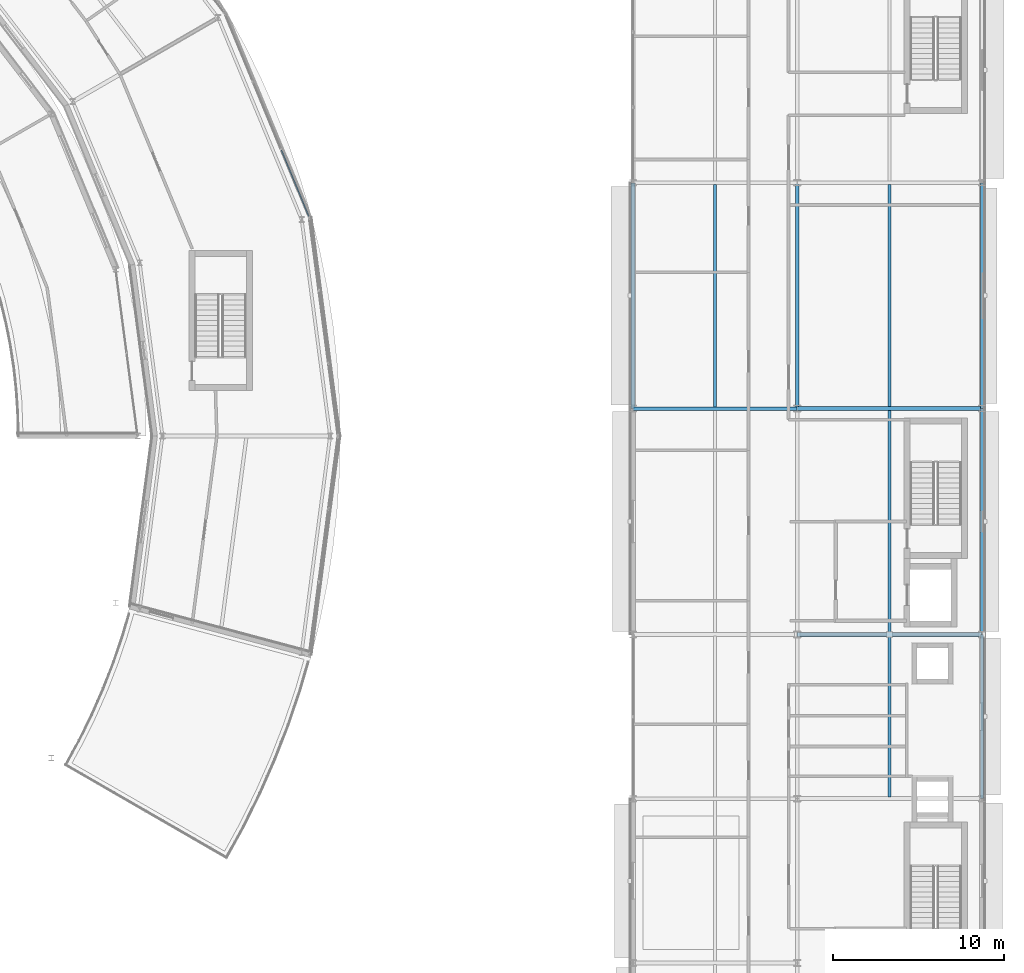
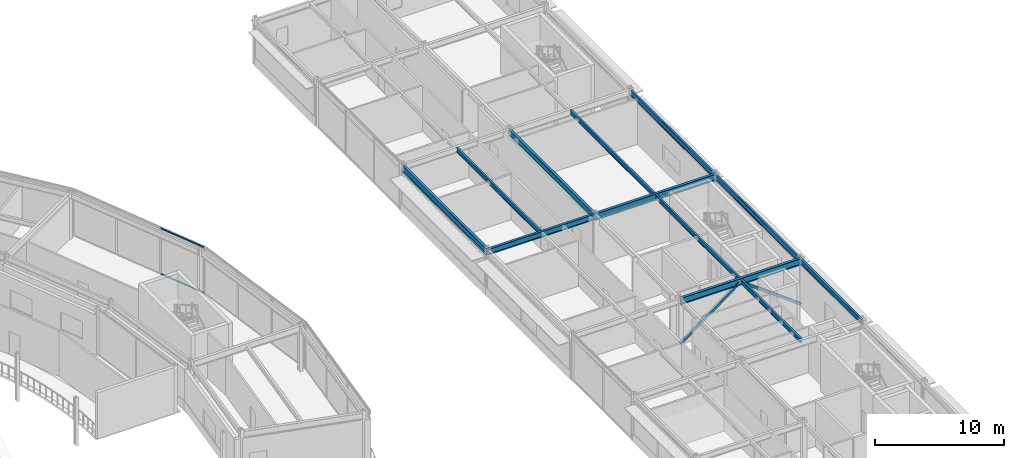
# One storey, part 74 of 116: 12 beams, 4 members, 1 element without a shape of its own.
"""IFC4 building model written with IfcOpenShell, lengths in metres."""

from ifc_helpers import new_model, si_unit, direction, frame, origin, origin_2d, place, context, subcontext, project, spatial, hollow_rectangle, i_section, extrude, material, material_profile, profile_set, type_object, element, aggregate, save


model = new_model("IFC4")

# Units and contexts
model_context = context("Model", 3, precision=1e-05, world=origin(), true_north=direction((0.0, 1.0)))
body_context = subcontext(model_context, "Body", "Model", "MODEL_VIEW")
ifc_project = project(units=[si_unit("LENGTHUNIT", "METRE"), si_unit("AREAUNIT", "SQUARE_METRE"), si_unit("VOLUMEUNIT", "CUBIC_METRE"), si_unit("PLANEANGLEUNIT", "RADIAN"), si_unit("MASSUNIT", "GRAM", prefix="KILO")], contexts=[model_context])

# Site, building, storey
site_placement = place(None, origin())
site = spatial("IfcSite", under=ifc_project, at=site_placement, CompositionType="ELEMENT")
building_placement = place(site_placement, origin())
building = spatial("IfcBuilding", under=site, at=building_placement, Name="Almandine Court Research Institute", CompositionType="ELEMENT")
storey_placement = place(building_placement, frame((0.0, 0.0, 14.35009765625)))
storey = spatial("IfcBuildingStorey", under=building, at=storey_placement, Name="L03", CompositionType="ELEMENT", Elevation=14.35009765625)

# Beams
ifc_material_1 = material(Name="Steel ASTM A992 Grade 50", Category="steel")
ifc_material_profile_1 = material_profile(ifc_material_1, i_section(OverallWidth=0.178955078125, OverallDepth=0.409912109375, WebThickness=0.009033203125, FlangeThickness=0.013916015625, at=origin_2d()), Name="W410x67")
ifc_profile_set_1 = profile_set([ifc_material_profile_1], Name="Steel ASTM A992 Grade 50")
beam_type_1 = type_object("IfcBeamType", Name="Beam-B-02", PredefinedType="JOIST", material=ifc_profile_set_1)
beam_1_placement = place(storey_placement, frame((168.60009765625, 34.9130859375, 4.164794921875), z_axis=(0.0, 1.0, 0.0), x_axis=(-1.0, 0.0, 0.0)))
element("IfcBeam", 1, at=beam_1_placement, inside=storey, type_object=beam_type_1, Name="L03 V4 Composite Secondary Beam", PredefinedType="JOIST", context=body_context, shape_type="SweptSolid", body=[
    extrude(i_section(OverallWidth=0.178955078125, OverallDepth=0.409912109375, WebThickness=0.009033203125, FlangeThickness=0.013916015625, at=origin_2d()), origin(), (0.0, 0.0, 1.0), 9.3740234375),
])
beam_2_placement = place(storey_placement, frame((168.60009765625, 44.512939453125, 4.164794921875), z_axis=(0.0, 1.0, 0.0), x_axis=(-1.0, 0.0, 0.0)))
element("IfcBeam", 2, at=beam_2_placement, inside=storey, type_object=beam_type_1, Name="L03 V4 Composite Secondary Beam", PredefinedType="JOIST", context=body_context, shape_type="SweptSolid", body=[
    extrude(i_section(OverallWidth=0.178955078125, OverallDepth=0.409912109375, WebThickness=0.009033203125, FlangeThickness=0.013916015625, at=origin_2d()), origin(), (0.0, 0.0, 1.0), 12.97412109375),
])
beam_3_placement = place(storey_placement, frame((158.39990234375, 57.702880859375, 4.164794921875), z_axis=(0.0, 1.0, 0.0), x_axis=(-1.0, 0.0, 0.0)))
element("IfcBeam", 3, at=beam_3_placement, inside=storey, type_object=beam_type_1, Name="L03 V4 Composite Secondary Beam", PredefinedType="JOIST", context=body_context, shape_type="SweptSolid", body=[
    extrude(i_section(OverallWidth=0.178955078125, OverallDepth=0.409912109375, WebThickness=0.009033203125, FlangeThickness=0.013916015625, at=origin_2d()), origin(), (0.0, 0.0, 1.0), 12.994140625),
])
beam_4_placement = place(storey_placement, frame((168.60009765625, 57.712890625, 4.164794921875), z_axis=(0.0, 1.0, 0.0), x_axis=(-1.0, 0.0, 0.0)))
element("IfcBeam", 4, at=beam_4_placement, inside=storey, type_object=beam_type_1, Name="L03 V4 Composite Secondary Beam", PredefinedType="JOIST", context=body_context, shape_type="SweptSolid", body=[
    extrude(i_section(OverallWidth=0.178955078125, OverallDepth=0.409912109375, WebThickness=0.009033203125, FlangeThickness=0.013916015625, at=origin_2d()), origin(), (0.0, 0.0, 1.0), 12.97412109375),
])
ifc_material_profile_2 = material_profile(ifc_material_1, i_section(OverallWidth=0.22998046875, OverallDepth=0.616943359375, WebThickness=0.012939453125, FlangeThickness=0.02197265625, at=origin_2d()), Name="W610x140")
ifc_profile_set_2 = profile_set([ifc_material_profile_2], Name="Steel ASTM A992 Grade 50")
beam_type_2 = type_object("IfcBeamType", Name="Beam-G-02", PredefinedType="BEAM", material=ifc_profile_set_2)
for number, where, z_axis, x_axis, name in (
    (5, (163.199951171875, 44.39990234375, 4.06201171875), (1.0, 0.0, 0.0), (0.0, 1.0, 0.0), "L03 V4 Primary X Girder"),
    (6, (163.199951171875, 57.60009765625, 4.06201171875), (1.0, 0.0, 0.0), (0.0, 1.0, 0.0), "L03 V4 Primary X Girder"),
):
    element("IfcBeam", number, at=place(storey_placement, frame(where, z_axis=z_axis, x_axis=x_axis)), inside=storey, type_object=beam_type_2, Name=name, PredefinedType="BEAM", context=body_context, shape_type="SweptSolid", body=[
        extrude(i_section(OverallWidth=0.22998046875, OverallDepth=0.616943359375, WebThickness=0.012939453125, FlangeThickness=0.02197265625, at=origin_2d()), origin(), (0.0, 0.0, 1.0), 10.800048828125),
    ])
ifc_material_profile_3 = material_profile(ifc_material_1, i_section(OverallWidth=0.22802734375, OverallDepth=0.60791015625, WebThickness=0.010986328125, FlangeThickness=0.01708984375, at=origin_2d()), Name="W610x113")
ifc_profile_set_3 = profile_set([ifc_material_profile_3], Name="Steel ASTM A992 Grade 50")
beam_type_3 = type_object("IfcBeamType", Name="Beam-G-03", PredefinedType="BEAM", material=ifc_profile_set_3)
for number, where, z_axis, x_axis, name in (
    (7, (153.60009765625, 57.60009765625, 4.06591796875), (0.0, 1.0, 0.0), (-1.0, 0.0, 0.0), "L03 V4 Primary Y Girder"),
    (8, (163.199951171875, 57.60009765625, 4.06591796875), (0.0, 1.0, 0.0), (-1.0, 0.0, 0.0), "L03 V4 Primary Y Girder"),
):
    element("IfcBeam", number, at=place(storey_placement, frame(where, z_axis=z_axis, x_axis=x_axis)), inside=storey, type_object=beam_type_3, Name=name, PredefinedType="BEAM", context=body_context, shape_type="SweptSolid", body=[
        extrude(i_section(OverallWidth=0.22802734375, OverallDepth=0.60791015625, WebThickness=0.010986328125, FlangeThickness=0.01708984375, at=origin_2d()), origin(), (0.0, 0.0, 1.0), 13.199951171875),
    ])
ifc_material_profile_4 = material_profile(ifc_material_1, i_section(OverallWidth=0.2109375, OverallDepth=0.5390625, WebThickness=0.011962890625, FlangeThickness=0.01904296875, at=origin_2d()), Name="W530x109")
ifc_profile_set_4 = profile_set([ifc_material_profile_4], Name="Steel ASTM A992 Grade 50")
beam_type_4 = type_object("IfcBeamType", Name="Beam-G-04", PredefinedType="BEAM", material=ifc_profile_set_4)
beam_5_placement = place(storey_placement, frame((153.60009765625, 57.60009765625, 4.099853515625), z_axis=(1.0, 0.0, 0.0), x_axis=(0.0, 1.0, 0.0)))
element("IfcBeam", 9, at=beam_5_placement, inside=storey, type_object=beam_type_4, Name="L03 V4 Primary X Girder", PredefinedType="BEAM", context=body_context, shape_type="SweptSolid", body=[
    extrude(i_section(OverallWidth=0.2109375, OverallDepth=0.5390625, WebThickness=0.011962890625, FlangeThickness=0.01904296875, at=origin_2d()), origin(), (0.0, 0.0, 1.0), 9.599853515625),
])
ifc_material_profile_5 = material_profile(ifc_material_1, i_section(OverallWidth=0.166015625, OverallDepth=0.534912109375, WebThickness=0.010009765625, FlangeThickness=0.01708984375, at=origin_2d()), Name="W530x85")
ifc_profile_set_5 = profile_set([ifc_material_profile_5], Name="Steel ASTM A992 Grade 50")
beam_type_5 = type_object("IfcBeamType", Name="Beam-G-05-E", PredefinedType="SPANDREL", material=ifc_profile_set_5)
beam_6_placement = place(storey_placement, frame((174.0, 44.39990234375, 4.102783203125), z_axis=(0.0, 1.0, 0.0), x_axis=(-1.0, 0.0, 0.0)))
element("IfcBeam", 10, at=beam_6_placement, inside=storey, type_object=beam_type_5, Name="L03 V4 Primary Y Girder", PredefinedType="SPANDREL", context=body_context, shape_type="SweptSolid", body=[
    extrude(i_section(OverallWidth=0.166015625, OverallDepth=0.534912109375, WebThickness=0.010009765625, FlangeThickness=0.01708984375, at=origin_2d()), origin(), (0.0, 0.0, 1.0), 13.2001953125),
])
beam_7_placement = place(storey_placement, frame((174.0, 57.60009765625, 4.102783203125), z_axis=(0.0, 1.0, 0.0), x_axis=(-1.0, 0.0, 0.0)))
element("IfcBeam", 11, at=beam_7_placement, inside=storey, type_object=beam_type_5, Name="L03 V4 Primary Y Girder", PredefinedType="SPANDREL", context=body_context, shape_type="SweptSolid", body=[
    extrude(i_section(OverallWidth=0.166015625, OverallDepth=0.534912109375, WebThickness=0.010009765625, FlangeThickness=0.01708984375, at=origin_2d()), origin(), (0.0, 0.0, 1.0), 13.199951171875),
])
ifc_material_profile_6 = material_profile(ifc_material_1, i_section(OverallWidth=0.193115234375, OverallDepth=0.466064453125, WebThickness=0.010986328125, FlangeThickness=0.01904296875, at=origin_2d()), Name="W460x97")
ifc_profile_set_6 = profile_set([ifc_material_profile_6], Name="Steel ASTM A992 Grade 50")
beam_type_6 = type_object("IfcBeamType", Name="Beam-G-06-E", PredefinedType="SPANDREL", material=ifc_profile_set_6)
beam_8_placement = place(storey_placement, frame((174.0, 34.800048828125, 4.136962890625), z_axis=(0.0, 1.0, 0.0), x_axis=(-1.0, 0.0, 0.0)))
element("IfcBeam", 12, at=beam_8_placement, inside=storey, type_object=beam_type_6, Name="L03 V4 Primary Y Girder", PredefinedType="SPANDREL", context=body_context, shape_type="SweptSolid", body=[
    extrude(i_section(OverallWidth=0.193115234375, OverallDepth=0.466064453125, WebThickness=0.010986328125, FlangeThickness=0.01904296875, at=origin_2d()), origin(), (0.0, 0.0, 1.0), 9.599853515625),
])

# Curtain wall, members
ifc_material_2 = material(Name="Unitised Curtain Wall Framing and Solar Glazing", Category="glass")
curtain_wall_type = type_object("IfcCurtainWallType", Name="CW-CWJ-19", PredefinedType="USERDEFINED", material=ifc_material_2)
curtain_wall_placement = place(storey_placement, origin())
curtain_wall = element("IfcCurtainWall", 13, at=curtain_wall_placement, inside=storey, type_object=curtain_wall_type, Name="L03 Stacked-Ring Drum Outer Solar Jali Screen 01", ObjectType="SOLAR JALI SCREEN", PredefinedType="USERDEFINED")
ifc_material_3 = material(Name="Anodised Aluminium AW-6063-T6", Category="aluminium")
ifc_material_profile_7 = material_profile(ifc_material_3, hollow_rectangle(XDim=0.06494140625, YDim=0.1298828125, WallThickness=0.00390625, at=origin_2d()), Name="ALU RHS 65x130x4")
ifc_profile_set_7 = profile_set([ifc_material_profile_7], Name="Anodised Aluminium AW-6063-T6")
member_type_1 = type_object("IfcMemberType", Name="CWTrn-65x130", PredefinedType="NOTDEFINED", material=ifc_profile_set_7)
member_1_placement = place(storey_placement, frame((133.046875, 72.715087890625, 0.032470703125), z_axis=(0.382631051398, -0.923901227679, 0.0), x_axis=(0.923901227679, 0.382631051398, 0.0)))
member_1 = element("IfcMember", 14, at=member_1_placement, type_object=member_type_1, Name="CWJ-19 transom 3.1", ObjectType="TRANSOM", PredefinedType="USERDEFINED", context=body_context, shape_type="SweptSolid", body=[
    extrude(hollow_rectangle(XDim=0.06494140625, YDim=0.1298828125, WallThickness=0.00390625, at=origin_2d()), origin(), (0.0, 0.0, 1.0), 4.1953125),
])
member_2_placement = place(storey_placement, frame((133.046875, 72.715087890625, 4.33740234375), z_axis=(0.382631051398, -0.923901227679, 0.0), x_axis=(0.923901227679, 0.382631051398, 0.0)))
member_2 = element("IfcMember", 15, at=member_2_placement, type_object=member_type_1, Name="CWJ-19 transom 3.2", ObjectType="TRANSOM", PredefinedType="USERDEFINED", context=body_context, shape_type="SweptSolid", body=[
    extrude(hollow_rectangle(XDim=0.06494140625, YDim=0.1298828125, WallThickness=0.00390625, at=origin_2d()), origin(), (0.0, 0.0, 1.0), 4.1953125),
])
aggregate(curtain_wall, [member_1, member_2])

# Members
ifc_material_4 = material(Name="Steel ASTM A500 Grade C", Category="steel")
ifc_material_profile_8 = material_profile(ifc_material_4, hollow_rectangle(XDim=0.219970703125, YDim=0.219970703125, WallThickness=0.010009765625, at=origin_2d()), Name="HSS 220x220x10")
ifc_profile_set_8 = profile_set([ifc_material_profile_8], Name="Steel ASTM A500 Grade C")
member_type_2 = type_object("IfcMemberType", Name="Mem-BF-BR1", PredefinedType="BRACE", material=ifc_profile_set_8)
member_3_placement = place(storey_placement, frame((163.199951171875, 44.39990234375, 0.02001953125), z_axis=(0.801445555519, 0.0, 0.598067739925), x_axis=(0.0, 1.0, 0.0)))
element("IfcMember", 16, at=member_3_placement, inside=storey, type_object=member_type_2, Name="L03 Seismic Chevron Brace V4-BF2 Left", PredefinedType="BRACE", context=body_context, shape_type="SweptSolid", body=[
    extrude(hollow_rectangle(XDim=0.219970703125, YDim=0.219970703125, WallThickness=0.010009765625, at=origin_2d()), origin(), (0.0, 0.0, 1.0), 6.738037109375),
])
member_4_placement = place(storey_placement, frame((174.0, 44.39990234375, 0.02001953125), z_axis=(-0.801432594827, 0.0, 0.598085107614), x_axis=(0.0, -1.0, 0.0)))
element("IfcMember", 17, at=member_4_placement, inside=storey, type_object=member_type_2, Name="L03 Seismic Chevron Brace V4-BF2 Right", PredefinedType="BRACE", context=body_context, shape_type="SweptSolid", body=[
    extrude(hollow_rectangle(XDim=0.219970703125, YDim=0.219970703125, WallThickness=0.010009765625, at=origin_2d()), origin(), (0.0, 0.0, 1.0), 6.73779296875),
])

save(model, "model.ifc")
